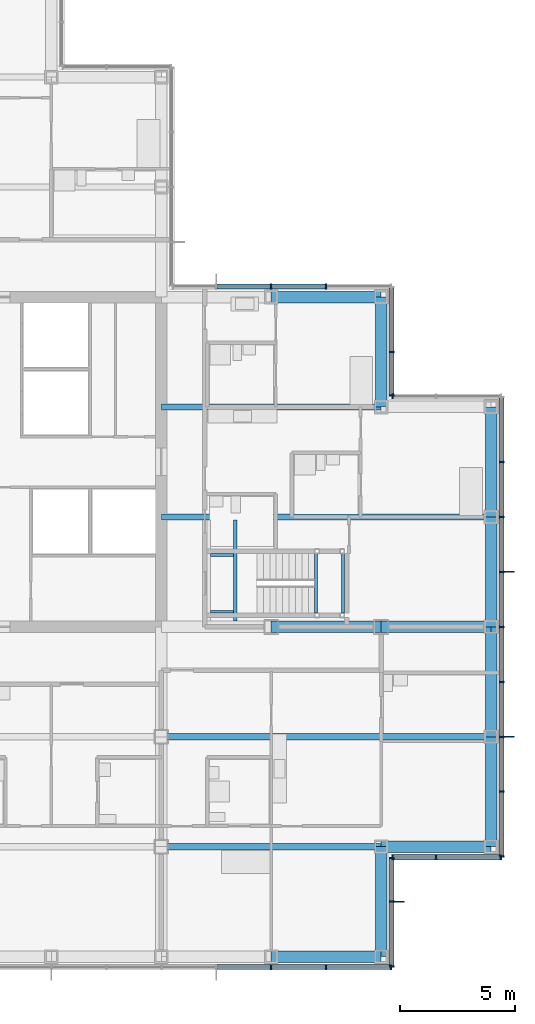
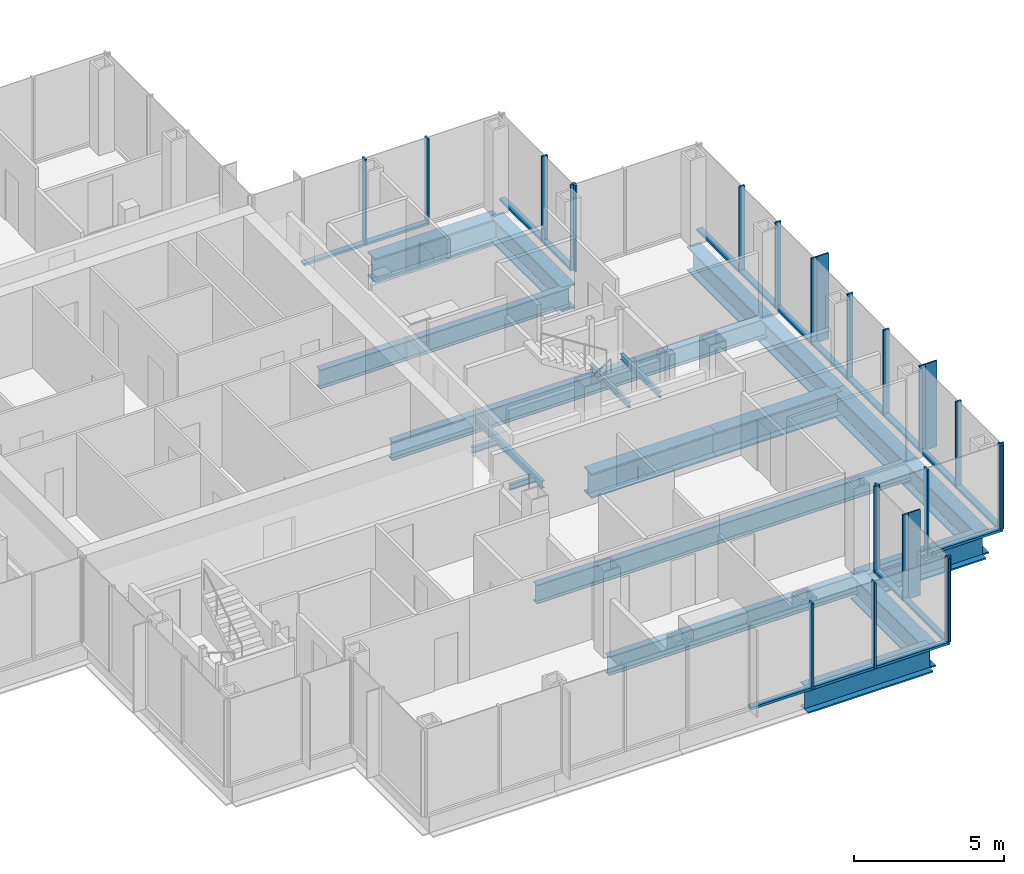
# One storey, part 8 of 19: 44 members, 20 beams, 7 elements without a shape of their own.
"""IFC4 building model written with IfcOpenShell, lengths in metres."""

from ifc_helpers import new_model, si_unit, direction, frame, origin, origin_2d, place, context, subcontext, project, spatial, rectangle, i_section, extrude, material, material_profile, profile_set, type_object, element, aggregate, save


model = new_model("IFC4")

# Units and contexts
model_context = context("Model", 3, precision=1e-05, world=origin(), true_north=direction((0.0, 1.0)))
body_context = subcontext(model_context, "Body", "Model", "MODEL_VIEW")
ifc_project = project(units=[si_unit("LENGTHUNIT", "METRE"), si_unit("AREAUNIT", "SQUARE_METRE"), si_unit("VOLUMEUNIT", "CUBIC_METRE"), si_unit("PLANEANGLEUNIT", "RADIAN"), si_unit("MASSUNIT", "GRAM", prefix="KILO")], contexts=[model_context])

# Site, building, storey
site_placement = place(None, origin())
site = spatial("IfcSite", under=ifc_project, at=site_placement, CompositionType="ELEMENT")
building_placement = place(site_placement, origin())
building = spatial("IfcBuilding", under=site, at=building_placement, Name="Kvirike Care Tower", CompositionType="ELEMENT")
storey_placement = place(building_placement, frame((0.0, 0.0, 129.5)))
storey = spatial("IfcBuildingStorey", under=building, at=storey_placement, Name="L35", CompositionType="ELEMENT", Elevation=129.5)

# Curtain wall, members
ifc_material_1 = material(Name="Anodised aluminium stick system", Category="aluminium")
curtain_wall_type = type_object("IfcCurtainWallType", Name="CW-B STICK CURTAIN WALL", PredefinedType="NOTDEFINED", material=ifc_material_1)
curtain_wall_1_placement = place(storey_placement, origin())
curtain_wall_1 = element("IfcCurtainWall", 1, at=curtain_wall_1_placement, inside=storey, type_object=curtain_wall_type, Name="Curtain wall L35 face 1", PredefinedType="NOTDEFINED")
ifc_material_2 = material(Name="Bronze anodised aluminium fin", Category="aluminium")
ifc_material_profile_1 = material_profile(ifc_material_2, rectangle(XDim=0.050048828125, YDim=0.449951171875, at=origin_2d()), Name="BRONZE FIN 450")
ifc_profile_set_1 = profile_set([ifc_material_profile_1], Name="Bronze anodised aluminium fin")
member_type_1 = type_object("IfcMemberType", Name="BRONZE FIN 450", PredefinedType="USERDEFINED", material=ifc_profile_set_1)
member_1_placement = place(storey_placement, frame((43.9951171875, 24.0, 0.0), z_axis=(0.0, 0.0, 1.0), x_axis=(0.0, 1.0, 0.0)))
member_1 = element("IfcMember", 2, at=member_1_placement, type_object=member_type_1, Name="Bronze fin L35 face 1.3", ObjectType="FIN", PredefinedType="USERDEFINED", context=body_context, shape_type="SweptSolid", body=[
    extrude(rectangle(XDim=0.050048828125, YDim=0.449951171875, at=origin_2d()), origin(), (0.0, 0.0, 1.0), 3.5),
])
member_2_placement = place(storey_placement, frame((43.9951171875, 31.199951171875, 0.0), z_axis=(0.0, 0.0, 1.0), x_axis=(0.0, 1.0, 0.0)))
member_2 = element("IfcMember", 3, at=member_2_placement, type_object=member_type_1, Name="Bronze fin L35 face 1.6", ObjectType="FIN", PredefinedType="USERDEFINED", context=body_context, shape_type="SweptSolid", body=[
    extrude(rectangle(XDim=0.050048828125, YDim=0.449951171875, at=origin_2d()), origin(), (0.0, 0.0, 1.0), 3.5),
])

# Curtain wall, member
curtain_wall_2_placement = place(storey_placement, origin())
curtain_wall_2 = element("IfcCurtainWall", 4, at=curtain_wall_2_placement, inside=storey, type_object=curtain_wall_type, Name="Curtain wall L35 face 19", PredefinedType="NOTDEFINED")
member_3_placement = place(storey_placement, frame((39.195068359375, 16.800048828125, 0.0), z_axis=(0.0, 0.0, 1.0), x_axis=(0.0, 1.0, 0.0)))
member_3 = element("IfcMember", 5, at=member_3_placement, type_object=member_type_1, Name="Bronze fin L35 face 19.2", ObjectType="FIN", PredefinedType="USERDEFINED", context=body_context, shape_type="SweptSolid", body=[
    extrude(rectangle(XDim=0.050048828125, YDim=0.449951171875, at=origin_2d()), origin(), (0.0, 0.0, 1.0), 3.5),
])

# Member
ifc_material_3 = material(Name="Bronze anodised aluminium mullion", Category="aluminium")
ifc_material_profile_2 = material_profile(ifc_material_3, rectangle(XDim=0.06494140625, YDim=0.219970703125, at=origin_2d()), Name="CW-B MULLION 65x220")
ifc_profile_set_2 = profile_set([ifc_material_profile_2], Name="Bronze anodised aluminium mullion")
member_type_2 = type_object("IfcMemberType", Name="CW-B MULLION 65x220", PredefinedType="MULLION", material=ifc_profile_set_2)
member_4_placement = place(storey_placement, frame((43.659912109375, 18.7724609375, 0.0), z_axis=(0.0, 0.0, 1.0), x_axis=(0.0, 1.0, 0.0)))
member_4 = element("IfcMember", 6, at=member_4_placement, type_object=member_type_2, Name="CW-B mullion L35 face 1.1", PredefinedType="MULLION", context=body_context, shape_type="SweptSolid", body=[
    extrude(rectangle(XDim=0.06494140625, YDim=0.219970703125, at=origin_2d()), origin(), (0.0, 0.0, 1.0), 3.5),
])

member_5_placement = place(storey_placement, frame((43.659912109375, 21.60009765625, 0.0), z_axis=(0.0, 0.0, 1.0), x_axis=(0.0, 1.0, 0.0)))
member_5 = element("IfcMember", 7, at=member_5_placement, type_object=member_type_2, Name="CW-B mullion L35 face 1.2", PredefinedType="MULLION", context=body_context, shape_type="SweptSolid", body=[
    extrude(rectangle(XDim=0.06494140625, YDim=0.219970703125, at=origin_2d()), origin(), (0.0, 0.0, 1.0), 3.5),
])

member_6_placement = place(storey_placement, frame((43.659912109375, 24.0, 0.0), z_axis=(0.0, 0.0, 1.0), x_axis=(0.0, 1.0, 0.0)))
member_6 = element("IfcMember", 8, at=member_6_placement, type_object=member_type_2, Name="CW-B mullion L35 face 1.3", PredefinedType="MULLION", context=body_context, shape_type="SweptSolid", body=[
    extrude(rectangle(XDim=0.06494140625, YDim=0.219970703125, at=origin_2d()), origin(), (0.0, 0.0, 1.0), 3.5),
])

member_7_placement = place(storey_placement, frame((43.659912109375, 26.39990234375, 0.0), z_axis=(0.0, 0.0, 1.0), x_axis=(0.0, 1.0, 0.0)))
member_7 = element("IfcMember", 9, at=member_7_placement, type_object=member_type_2, Name="CW-B mullion L35 face 1.4", PredefinedType="MULLION", context=body_context, shape_type="SweptSolid", body=[
    extrude(rectangle(XDim=0.06494140625, YDim=0.219970703125, at=origin_2d()), origin(), (0.0, 0.0, 1.0), 3.5),
])

member_8_placement = place(storey_placement, frame((43.659912109375, 28.800048828125, 0.0), z_axis=(0.0, 0.0, 1.0), x_axis=(0.0, 1.0, 0.0)))
member_8 = element("IfcMember", 10, at=member_8_placement, type_object=member_type_2, Name="CW-B mullion L35 face 1.5", PredefinedType="MULLION", context=body_context, shape_type="SweptSolid", body=[
    extrude(rectangle(XDim=0.06494140625, YDim=0.219970703125, at=origin_2d()), origin(), (0.0, 0.0, 1.0), 3.5),
])

member_9_placement = place(storey_placement, frame((43.659912109375, 31.199951171875, 0.0), z_axis=(0.0, 0.0, 1.0), x_axis=(0.0, 1.0, 0.0)))
member_9 = element("IfcMember", 11, at=member_9_placement, type_object=member_type_2, Name="CW-B mullion L35 face 1.6", PredefinedType="MULLION", context=body_context, shape_type="SweptSolid", body=[
    extrude(rectangle(XDim=0.06494140625, YDim=0.219970703125, at=origin_2d()), origin(), (0.0, 0.0, 1.0), 3.5),
])

member_10_placement = place(storey_placement, frame((43.659912109375, 33.60009765625, 0.0), z_axis=(0.0, 0.0, 1.0), x_axis=(0.0, 1.0, 0.0)))
member_10 = element("IfcMember", 12, at=member_10_placement, type_object=member_type_2, Name="CW-B mullion L35 face 1.7", PredefinedType="MULLION", context=body_context, shape_type="SweptSolid", body=[
    extrude(rectangle(XDim=0.06494140625, YDim=0.219970703125, at=origin_2d()), origin(), (0.0, 0.0, 1.0), 3.5),
])

member_11_placement = place(storey_placement, frame((43.659912109375, 36.0, 0.0), z_axis=(0.0, 0.0, 1.0), x_axis=(0.0, 1.0, 0.0)))
member_11 = element("IfcMember", 13, at=member_11_placement, type_object=member_type_2, Name="CW-B mullion L35 face 1.8", PredefinedType="MULLION", context=body_context, shape_type="SweptSolid", body=[
    extrude(rectangle(XDim=0.06494140625, YDim=0.219970703125, at=origin_2d()), origin(), (0.0, 0.0, 1.0), 3.5),
])

# Curtain wall, member
curtain_wall_3_placement = place(storey_placement, origin())
curtain_wall_3 = element("IfcCurtainWall", 14, at=curtain_wall_3_placement, inside=storey, type_object=curtain_wall_type, Name="Curtain wall L35 face 2", PredefinedType="NOTDEFINED")
member_12_placement = place(storey_placement, frame((38.892578125, 38.860107421875, 0.0), z_axis=(0.0, 0.0, 1.0), x_axis=(-1.0, 0.0, 0.0)))
member_12 = element("IfcMember", 15, at=member_12_placement, type_object=member_type_2, Name="CW-B mullion L35 face 2.3", PredefinedType="MULLION", context=body_context, shape_type="SweptSolid", body=[
    extrude(rectangle(XDim=0.06494140625, YDim=0.219970703125, at=origin_2d()), origin(), (0.0, 0.0, 1.0), 3.5),
])
aggregate(curtain_wall_3, [member_12])

# Curtain wall, members
curtain_wall_4_placement = place(storey_placement, origin())
curtain_wall_4 = element("IfcCurtainWall", 16, at=curtain_wall_4_placement, inside=storey, type_object=curtain_wall_type, Name="Curtain wall L35 face 3", PredefinedType="NOTDEFINED")
member_13_placement = place(storey_placement, frame((38.860107421875, 38.892578125, 0.0), z_axis=(0.0, 0.0, 1.0), x_axis=(0.0, 1.0, 0.0)))
member_13 = element("IfcMember", 17, at=member_13_placement, type_object=member_type_2, Name="CW-B mullion L35 face 3.1", PredefinedType="MULLION", context=body_context, shape_type="SweptSolid", body=[
    extrude(rectangle(XDim=0.06494140625, YDim=0.219970703125, at=origin_2d()), origin(), (0.0, 0.0, 1.0), 3.5),
])
member_14_placement = place(storey_placement, frame((38.860107421875, 40.800048828125, 0.0), z_axis=(0.0, 0.0, 1.0), x_axis=(0.0, 1.0, 0.0)))
member_14 = element("IfcMember", 18, at=member_14_placement, type_object=member_type_2, Name="CW-B mullion L35 face 3.2", PredefinedType="MULLION", context=body_context, shape_type="SweptSolid", body=[
    extrude(rectangle(XDim=0.06494140625, YDim=0.219970703125, at=origin_2d()), origin(), (0.0, 0.0, 1.0), 3.5),
])

curtain_wall_5_placement = place(storey_placement, origin())
curtain_wall_5 = element("IfcCurtainWall", 19, at=curtain_wall_5_placement, inside=storey, type_object=curtain_wall_type, Name="Curtain wall L35 face 4", PredefinedType="NOTDEFINED")
member_15_placement = place(storey_placement, frame((36.0, 43.659912109375, 0.0), z_axis=(0.0, 0.0, 1.0), x_axis=(-1.0, 0.0, 0.0)))
member_15 = element("IfcMember", 20, at=member_15_placement, type_object=member_type_2, Name="CW-B mullion L35 face 4.2", PredefinedType="MULLION", context=body_context, shape_type="SweptSolid", body=[
    extrude(rectangle(XDim=0.06494140625, YDim=0.219970703125, at=origin_2d()), origin(), (0.0, 0.0, 1.0), 3.5),
])
member_16_placement = place(storey_placement, frame((33.60009765625, 43.659912109375, 0.0), z_axis=(0.0, 0.0, 1.0), x_axis=(-1.0, 0.0, 0.0)))
member_16 = element("IfcMember", 21, at=member_16_placement, type_object=member_type_2, Name="CW-B mullion L35 face 4.3", PredefinedType="MULLION", context=body_context, shape_type="SweptSolid", body=[
    extrude(rectangle(XDim=0.06494140625, YDim=0.219970703125, at=origin_2d()), origin(), (0.0, 0.0, 1.0), 3.5),
])

curtain_wall_6_placement = place(storey_placement, origin())
curtain_wall_6 = element("IfcCurtainWall", 22, at=curtain_wall_6_placement, inside=storey, type_object=curtain_wall_type, Name="Curtain wall L35 face 18", PredefinedType="NOTDEFINED")
member_17_placement = place(storey_placement, frame((33.60009765625, 13.93994140625, 0.0), z_axis=(0.0, 0.0, 1.0), x_axis=(1.0, 0.0, 0.0)))
member_17 = element("IfcMember", 23, at=member_17_placement, type_object=member_type_2, Name="CW-B mullion L35 face 18.7", PredefinedType="MULLION", context=body_context, shape_type="SweptSolid", body=[
    extrude(rectangle(XDim=0.06494140625, YDim=0.219970703125, at=origin_2d()), origin(), (0.0, 0.0, 1.0), 3.5),
])
member_18_placement = place(storey_placement, frame((36.0, 13.93994140625, 0.0), z_axis=(0.0, 0.0, 1.0), x_axis=(1.0, 0.0, 0.0)))
member_18 = element("IfcMember", 24, at=member_18_placement, type_object=member_type_2, Name="CW-B mullion L35 face 18.8", PredefinedType="MULLION", context=body_context, shape_type="SweptSolid", body=[
    extrude(rectangle(XDim=0.06494140625, YDim=0.219970703125, at=origin_2d()), origin(), (0.0, 0.0, 1.0), 3.5),
])
member_19_placement = place(storey_placement, frame((38.827392578125, 13.93994140625, 0.0), z_axis=(0.0, 0.0, 1.0), x_axis=(1.0, 0.0, 0.0)))
member_19 = element("IfcMember", 25, at=member_19_placement, type_object=member_type_2, Name="CW-B mullion L35 face 18.9", PredefinedType="MULLION", context=body_context, shape_type="SweptSolid", body=[
    extrude(rectangle(XDim=0.06494140625, YDim=0.219970703125, at=origin_2d()), origin(), (0.0, 0.0, 1.0), 3.5),
])

# Member
member_20_placement = place(storey_placement, frame((38.860107421875, 13.972412109375, 0.0), z_axis=(0.0, 0.0, 1.0), x_axis=(0.0, 1.0, 0.0)))
member_20 = element("IfcMember", 26, at=member_20_placement, type_object=member_type_2, Name="CW-B mullion L35 face 19.1", PredefinedType="MULLION", context=body_context, shape_type="SweptSolid", body=[
    extrude(rectangle(XDim=0.06494140625, YDim=0.219970703125, at=origin_2d()), origin(), (0.0, 0.0, 1.0), 3.5),
])

member_21_placement = place(storey_placement, frame((38.860107421875, 16.800048828125, 0.0), z_axis=(0.0, 0.0, 1.0), x_axis=(0.0, 1.0, 0.0)))
member_21 = element("IfcMember", 27, at=member_21_placement, type_object=member_type_2, Name="CW-B mullion L35 face 19.2", PredefinedType="MULLION", context=body_context, shape_type="SweptSolid", body=[
    extrude(rectangle(XDim=0.06494140625, YDim=0.219970703125, at=origin_2d()), origin(), (0.0, 0.0, 1.0), 3.5),
])

member_22_placement = place(storey_placement, frame((38.860107421875, 18.70751953125, 0.0), z_axis=(0.0, 0.0, 1.0), x_axis=(0.0, 1.0, 0.0)))
member_22 = element("IfcMember", 28, at=member_22_placement, type_object=member_type_2, Name="CW-B mullion L35 face 19.3", PredefinedType="MULLION", context=body_context, shape_type="SweptSolid", body=[
    extrude(rectangle(XDim=0.06494140625, YDim=0.219970703125, at=origin_2d()), origin(), (0.0, 0.0, 1.0), 3.5),
])

# Curtain wall, members
curtain_wall_7_placement = place(storey_placement, origin())
curtain_wall_7 = element("IfcCurtainWall", 29, at=curtain_wall_7_placement, inside=storey, type_object=curtain_wall_type, Name="Curtain wall L35 face 20", PredefinedType="NOTDEFINED")
member_23_placement = place(storey_placement, frame((38.892578125, 18.739990234375, 0.0), z_axis=(0.0, 0.0, 1.0), x_axis=(1.0, 0.0, 0.0)))
member_23 = element("IfcMember", 30, at=member_23_placement, type_object=member_type_2, Name="CW-B mullion L35 face 20.1", PredefinedType="MULLION", context=body_context, shape_type="SweptSolid", body=[
    extrude(rectangle(XDim=0.06494140625, YDim=0.219970703125, at=origin_2d()), origin(), (0.0, 0.0, 1.0), 3.5),
])
member_24_placement = place(storey_placement, frame((40.800048828125, 18.739990234375, 0.0), z_axis=(0.0, 0.0, 1.0), x_axis=(1.0, 0.0, 0.0)))
member_24 = element("IfcMember", 31, at=member_24_placement, type_object=member_type_2, Name="CW-B mullion L35 face 20.2", PredefinedType="MULLION", context=body_context, shape_type="SweptSolid", body=[
    extrude(rectangle(XDim=0.06494140625, YDim=0.219970703125, at=origin_2d()), origin(), (0.0, 0.0, 1.0), 3.5),
])
member_25_placement = place(storey_placement, frame((43.62744140625, 18.739990234375, 0.0), z_axis=(0.0, 0.0, 1.0), x_axis=(1.0, 0.0, 0.0)))
member_25 = element("IfcMember", 32, at=member_25_placement, type_object=member_type_2, Name="CW-B mullion L35 face 20.3", PredefinedType="MULLION", context=body_context, shape_type="SweptSolid", body=[
    extrude(rectangle(XDim=0.06494140625, YDim=0.219970703125, at=origin_2d()), origin(), (0.0, 0.0, 1.0), 3.5),
])

# Member
ifc_material_4 = material(Name="Bronze anodised aluminium transom", Category="aluminium")
ifc_material_profile_3 = material_profile(ifc_material_4, rectangle(XDim=0.219970703125, YDim=0.10009765625, at=origin_2d()), Name="CW-B TRANSOM 220x100")
ifc_profile_set_3 = profile_set([ifc_material_profile_3], Name="Bronze anodised aluminium transom")
member_type_3 = type_object("IfcMemberType", Name="CW-B TRANSOM 220x100", PredefinedType="USERDEFINED", material=ifc_profile_set_3)
member_26_placement = place(storey_placement, frame((43.659912109375, 18.804931640625, 0.050048828125), z_axis=(0.0, 1.0, 0.0), x_axis=(-1.0, 0.0, 0.0)))
member_26 = element("IfcMember", 33, at=member_26_placement, type_object=member_type_3, Name="CW-B sill transom L35 face 1.1", ObjectType="TRANSOM", PredefinedType="USERDEFINED", context=body_context, shape_type="SweptSolid", body=[
    extrude(rectangle(XDim=0.219970703125, YDim=0.10009765625, at=origin_2d()), origin(), (0.0, 0.0, 1.0), 2.762451171875),
])

member_27_placement = place(storey_placement, frame((43.659912109375, 21.632568359375, 0.050048828125), z_axis=(0.0, 1.0, 0.0), x_axis=(-1.0, 0.0, 0.0)))
member_27 = element("IfcMember", 34, at=member_27_placement, type_object=member_type_3, Name="CW-B sill transom L35 face 1.2", ObjectType="TRANSOM", PredefinedType="USERDEFINED", context=body_context, shape_type="SweptSolid", body=[
    extrude(rectangle(XDim=0.219970703125, YDim=0.10009765625, at=origin_2d()), origin(), (0.0, 0.0, 1.0), 2.3349609375),
])

member_28_placement = place(storey_placement, frame((43.659912109375, 24.032470703125, 0.050048828125), z_axis=(0.0, 1.0, 0.0), x_axis=(-1.0, 0.0, 0.0)))
member_28 = element("IfcMember", 35, at=member_28_placement, type_object=member_type_3, Name="CW-B sill transom L35 face 1.3", ObjectType="TRANSOM", PredefinedType="USERDEFINED", context=body_context, shape_type="SweptSolid", body=[
    extrude(rectangle(XDim=0.219970703125, YDim=0.10009765625, at=origin_2d()), origin(), (0.0, 0.0, 1.0), 2.3349609375),
])

member_29_placement = place(storey_placement, frame((43.659912109375, 26.4326171875, 0.050048828125), z_axis=(0.0, 1.0, 0.0), x_axis=(-1.0, 0.0, 0.0)))
member_29 = element("IfcMember", 36, at=member_29_placement, type_object=member_type_3, Name="CW-B sill transom L35 face 1.4", ObjectType="TRANSOM", PredefinedType="USERDEFINED", context=body_context, shape_type="SweptSolid", body=[
    extrude(rectangle(XDim=0.219970703125, YDim=0.10009765625, at=origin_2d()), origin(), (0.0, 0.0, 1.0), 2.3349609375),
])

member_30_placement = place(storey_placement, frame((43.659912109375, 28.83251953125, 0.050048828125), z_axis=(0.0, 1.0, 0.0), x_axis=(-1.0, 0.0, 0.0)))
member_30 = element("IfcMember", 37, at=member_30_placement, type_object=member_type_3, Name="CW-B sill transom L35 face 1.5", ObjectType="TRANSOM", PredefinedType="USERDEFINED", context=body_context, shape_type="SweptSolid", body=[
    extrude(rectangle(XDim=0.219970703125, YDim=0.10009765625, at=origin_2d()), origin(), (0.0, 0.0, 1.0), 2.3349609375),
])

member_31_placement = place(storey_placement, frame((43.659912109375, 31.232421875, 0.050048828125), z_axis=(0.0, 1.0, 0.0), x_axis=(-1.0, 0.0, 0.0)))
member_31 = element("IfcMember", 38, at=member_31_placement, type_object=member_type_3, Name="CW-B sill transom L35 face 1.6", ObjectType="TRANSOM", PredefinedType="USERDEFINED", context=body_context, shape_type="SweptSolid", body=[
    extrude(rectangle(XDim=0.219970703125, YDim=0.10009765625, at=origin_2d()), origin(), (0.0, 0.0, 1.0), 2.3349609375),
])

member_32_placement = place(storey_placement, frame((43.659912109375, 33.632568359375, 0.050048828125), z_axis=(0.0, 1.0, 0.0), x_axis=(-1.0, 0.0, 0.0)))
member_32 = element("IfcMember", 39, at=member_32_placement, type_object=member_type_3, Name="CW-B sill transom L35 face 1.7", ObjectType="TRANSOM", PredefinedType="USERDEFINED", context=body_context, shape_type="SweptSolid", body=[
    extrude(rectangle(XDim=0.219970703125, YDim=0.10009765625, at=origin_2d()), origin(), (0.0, 0.0, 1.0), 2.3349609375),
])

member_33_placement = place(storey_placement, frame((43.659912109375, 36.032470703125, 0.050048828125), z_axis=(0.0, 1.0, 0.0), x_axis=(-1.0, 0.0, 0.0)))
member_33 = element("IfcMember", 40, at=member_33_placement, type_object=member_type_3, Name="CW-B sill transom L35 face 1.8", ObjectType="TRANSOM", PredefinedType="USERDEFINED", context=body_context, shape_type="SweptSolid", body=[
    extrude(rectangle(XDim=0.219970703125, YDim=0.10009765625, at=origin_2d()), origin(), (0.0, 0.0, 1.0), 2.762451171875),
])

aggregate(curtain_wall_1, [member_4, member_5, member_6, member_1, member_7, member_8, member_9, member_2, member_10, member_11, member_26, member_27, member_28, member_29, member_30, member_31, member_32, member_33])

member_34_placement = place(storey_placement, frame((38.860107421875, 38.925048828125, 0.050048828125), z_axis=(0.0, 1.0, 0.0), x_axis=(-1.0, 0.0, 0.0)))
member_34 = element("IfcMember", 41, at=member_34_placement, type_object=member_type_3, Name="CW-B sill transom L35 face 3.1", ObjectType="TRANSOM", PredefinedType="USERDEFINED", context=body_context, shape_type="SweptSolid", body=[
    extrude(rectangle(XDim=0.219970703125, YDim=0.10009765625, at=origin_2d()), origin(), (0.0, 0.0, 1.0), 1.842529296875),
])

member_35_placement = place(storey_placement, frame((38.860107421875, 40.83251953125, 0.050048828125), z_axis=(0.0, 1.0, 0.0), x_axis=(-1.0, 0.0, 0.0)))
member_35 = element("IfcMember", 42, at=member_35_placement, type_object=member_type_3, Name="CW-B sill transom L35 face 3.2", ObjectType="TRANSOM", PredefinedType="USERDEFINED", context=body_context, shape_type="SweptSolid", body=[
    extrude(rectangle(XDim=0.219970703125, YDim=0.10009765625, at=origin_2d()), origin(), (0.0, 0.0, 1.0), 2.762451171875),
])

aggregate(curtain_wall_4, [member_13, member_14, member_34, member_35])

member_36_placement = place(storey_placement, frame((35.967529296875, 43.659912109375, 0.050048828125), z_axis=(-1.0, 0.0, 0.0), x_axis=(0.0, -1.0, 0.0)))
member_36 = element("IfcMember", 43, at=member_36_placement, type_object=member_type_3, Name="CW-B sill transom L35 face 4.2", ObjectType="TRANSOM", PredefinedType="USERDEFINED", context=body_context, shape_type="SweptSolid", body=[
    extrude(rectangle(XDim=0.219970703125, YDim=0.10009765625, at=origin_2d()), origin(), (0.0, 0.0, 1.0), 2.3349609375),
])

member_37_placement = place(storey_placement, frame((33.5673828125, 43.659912109375, 0.050048828125), z_axis=(-1.0, 0.0, 0.0), x_axis=(0.0, -1.0, 0.0)))
member_37 = element("IfcMember", 44, at=member_37_placement, type_object=member_type_3, Name="CW-B sill transom L35 face 4.3", ObjectType="TRANSOM", PredefinedType="USERDEFINED", context=body_context, shape_type="SweptSolid", body=[
    extrude(rectangle(XDim=0.219970703125, YDim=0.10009765625, at=origin_2d()), origin(), (0.0, 0.0, 1.0), 2.3349609375),
])

aggregate(curtain_wall_5, [member_15, member_16, member_36, member_37])

member_38_placement = place(storey_placement, frame((31.232421875, 13.93994140625, 0.050048828125), z_axis=(1.0, 0.0, 0.0), x_axis=(0.0, 1.0, 0.0)))
member_38 = element("IfcMember", 45, at=member_38_placement, type_object=member_type_3, Name="CW-B sill transom L35 face 18.6", ObjectType="TRANSOM", PredefinedType="USERDEFINED", context=body_context, shape_type="SweptSolid", body=[
    extrude(rectangle(XDim=0.219970703125, YDim=0.10009765625, at=origin_2d()), origin(), (0.0, 0.0, 1.0), 2.3349609375),
])

member_39_placement = place(storey_placement, frame((33.632568359375, 13.93994140625, 0.050048828125), z_axis=(1.0, 0.0, 0.0), x_axis=(0.0, 1.0, 0.0)))
member_39 = element("IfcMember", 46, at=member_39_placement, type_object=member_type_3, Name="CW-B sill transom L35 face 18.7", ObjectType="TRANSOM", PredefinedType="USERDEFINED", context=body_context, shape_type="SweptSolid", body=[
    extrude(rectangle(XDim=0.219970703125, YDim=0.10009765625, at=origin_2d()), origin(), (0.0, 0.0, 1.0), 2.3349609375),
])

member_40_placement = place(storey_placement, frame((36.032470703125, 13.93994140625, 0.050048828125), z_axis=(1.0, 0.0, 0.0), x_axis=(0.0, 1.0, 0.0)))
member_40 = element("IfcMember", 47, at=member_40_placement, type_object=member_type_3, Name="CW-B sill transom L35 face 18.8", ObjectType="TRANSOM", PredefinedType="USERDEFINED", context=body_context, shape_type="SweptSolid", body=[
    extrude(rectangle(XDim=0.219970703125, YDim=0.10009765625, at=origin_2d()), origin(), (0.0, 0.0, 1.0), 2.762451171875),
])

aggregate(curtain_wall_6, [member_17, member_18, member_19, member_38, member_39, member_40])

member_41_placement = place(storey_placement, frame((38.860107421875, 14.0048828125, 0.050048828125), z_axis=(0.0, 1.0, 0.0), x_axis=(-1.0, 0.0, 0.0)))
member_41 = element("IfcMember", 48, at=member_41_placement, type_object=member_type_3, Name="CW-B sill transom L35 face 19.1", ObjectType="TRANSOM", PredefinedType="USERDEFINED", context=body_context, shape_type="SweptSolid", body=[
    extrude(rectangle(XDim=0.219970703125, YDim=0.10009765625, at=origin_2d()), origin(), (0.0, 0.0, 1.0), 2.7626953125),
])

member_42_placement = place(storey_placement, frame((38.860107421875, 16.83251953125, 0.050048828125), z_axis=(0.0, 1.0, 0.0), x_axis=(-1.0, 0.0, 0.0)))
member_42 = element("IfcMember", 49, at=member_42_placement, type_object=member_type_3, Name="CW-B sill transom L35 face 19.2", ObjectType="TRANSOM", PredefinedType="USERDEFINED", context=body_context, shape_type="SweptSolid", body=[
    extrude(rectangle(XDim=0.219970703125, YDim=0.10009765625, at=origin_2d()), origin(), (0.0, 0.0, 1.0), 1.842529296875),
])

aggregate(curtain_wall_2, [member_20, member_21, member_3, member_22, member_41, member_42])

member_43_placement = place(storey_placement, frame((38.925048828125, 18.739990234375, 0.050048828125), z_axis=(1.0, 0.0, 0.0), x_axis=(0.0, 1.0, 0.0)))
member_43 = element("IfcMember", 50, at=member_43_placement, type_object=member_type_3, Name="CW-B sill transom L35 face 20.1", ObjectType="TRANSOM", PredefinedType="USERDEFINED", context=body_context, shape_type="SweptSolid", body=[
    extrude(rectangle(XDim=0.219970703125, YDim=0.10009765625, at=origin_2d()), origin(), (0.0, 0.0, 1.0), 1.842529296875),
])

member_44_placement = place(storey_placement, frame((40.83251953125, 18.739990234375, 0.050048828125), z_axis=(1.0, 0.0, 0.0), x_axis=(0.0, 1.0, 0.0)))
member_44 = element("IfcMember", 51, at=member_44_placement, type_object=member_type_3, Name="CW-B sill transom L35 face 20.2", ObjectType="TRANSOM", PredefinedType="USERDEFINED", context=body_context, shape_type="SweptSolid", body=[
    extrude(rectangle(XDim=0.219970703125, YDim=0.10009765625, at=origin_2d()), origin(), (0.0, 0.0, 1.0), 2.762451171875),
])

aggregate(curtain_wall_7, [member_23, member_24, member_25, member_43, member_44])

# Beams
ifc_material_5 = material(Name="Steel S355", Category="steel")
ifc_material_profile_4 = material_profile(ifc_material_5, i_section(OverallWidth=0.26806640625, OverallDepth=0.77001953125, WebThickness=0.015625, FlangeThickness=0.025390625, FilletRadius=0.01708984375, at=origin_2d()), Name="IPE 750x196")
ifc_profile_set_4 = profile_set([ifc_material_profile_4], Name="Steel S355")
beam_type_1 = type_object("IfcBeamType", Name="FLOOR BEAM IPE 750x196", PredefinedType="BEAM", material=ifc_profile_set_4)
beam_1_placement = place(storey_placement, frame((28.800048828125, 19.199951171875, -0.554931640625), z_axis=(1.0, 0.0, 0.0), x_axis=(0.0, 1.0, 0.0)))
element("IfcBeam", 52, at=beam_1_placement, inside=storey, type_object=beam_type_1, Name="Floor Beam E9-E11 L35", PredefinedType="BEAM", context=body_context, shape_type="SweptSolid", body=[
    extrude(i_section(OverallWidth=0.26806640625, OverallDepth=0.77001953125, WebThickness=0.015625, FlangeThickness=0.025390625, FilletRadius=0.01708984375, at=origin_2d()), origin(), (0.0, 0.0, 1.0), 9.599853515625),
])
for number, where, z_axis, x_axis, name in (
    (53, (28.800048828125, 24.0, -0.554931640625), (1.0, 0.0, 0.0), (0.0, 1.0, 0.0), "Floor Beam F9-F12 L35"),
    (54, (28.800048828125, 33.60009765625, -0.554931640625), (1.0, 0.0, 0.0), (0.0, 1.0, 0.0), "Floor Beam H9-H12 L35"),
):
    element("IfcBeam", number, at=place(storey_placement, frame(where, z_axis=z_axis, x_axis=x_axis)), inside=storey, type_object=beam_type_1, Name=name, PredefinedType="BEAM", context=body_context, shape_type="SweptSolid", body=[
        extrude(i_section(OverallWidth=0.26806640625, OverallDepth=0.77001953125, WebThickness=0.015625, FlangeThickness=0.025390625, FilletRadius=0.01708984375, at=origin_2d()), origin(), (0.0, 0.0, 1.0), 14.39990234375),
    ])
beam_2_placement = place(storey_placement, frame((28.800048828125, 38.39990234375, -0.554931640625), z_axis=(1.0, 0.0, 0.0), x_axis=(0.0, 1.0, 0.0)))
element("IfcBeam", 55, at=beam_2_placement, inside=storey, type_object=beam_type_1, Name="Floor Beam J9-J11 L35", PredefinedType="BEAM", context=body_context, shape_type="SweptSolid", body=[
    extrude(i_section(OverallWidth=0.26806640625, OverallDepth=0.77001953125, WebThickness=0.015625, FlangeThickness=0.025390625, FilletRadius=0.01708984375, at=origin_2d()), origin(), (0.0, 0.0, 1.0), 9.599853515625),
])
ifc_material_6 = material(Name="Steel S355", Category="steel")
ifc_material_profile_5 = material_profile(ifc_material_6, i_section(OverallWidth=0.5, OverallDepth=1.0, WebThickness=0.030029296875, FlangeThickness=0.06005859375, at=origin_2d()), Name="PG 1000x500x30x60")
ifc_profile_set_5 = profile_set([ifc_material_profile_5], Name="Steel S355")
beam_type_2 = type_object("IfcBeamType", Name="FRAME BEAM PG 1000x500x30x60", PredefinedType="BEAM", material=ifc_profile_set_5)
beam_3_placement = place(storey_placement, frame((33.60009765625, 28.800048828125, -0.669921875), z_axis=(1.0, 0.0, 0.0), x_axis=(0.0, 1.0, 0.0)))
element("IfcBeam", 56, at=beam_3_placement, inside=storey, type_object=beam_type_2, Name="Frame Beam G10-G11 L35", PredefinedType="BEAM", context=body_context, shape_type="SweptSolid", body=[
    extrude(i_section(OverallWidth=0.5, OverallDepth=1.0, WebThickness=0.030029296875, FlangeThickness=0.06005859375, at=origin_2d()), origin(), (0.0, 0.0, 1.0), 4.7998046875),
])
beam_4_placement = place(storey_placement, frame((38.39990234375, 28.800048828125, -0.669921875), z_axis=(1.0, 0.0, 0.0), x_axis=(0.0, 1.0, 0.0)))
element("IfcBeam", 57, at=beam_4_placement, inside=storey, type_object=beam_type_2, Name="Frame Beam G11-G12 L35", PredefinedType="BEAM", context=body_context, shape_type="SweptSolid", body=[
    extrude(i_section(OverallWidth=0.5, OverallDepth=1.0, WebThickness=0.030029296875, FlangeThickness=0.06005859375, at=origin_2d()), origin(), (0.0, 0.0, 1.0), 4.800048828125),
])
ifc_material_7 = material(Name="Steel S355", Category="steel")
ifc_material_profile_6 = material_profile(ifc_material_7, i_section(OverallWidth=0.5, OverallDepth=1.0, WebThickness=0.030029296875, FlangeThickness=0.06005859375, at=origin_2d()), Name="PG 1000x500x30x60")
ifc_profile_set_6 = profile_set([ifc_material_profile_6], Name="Steel S355")
beam_type_3 = type_object("IfcBeamType", Name="SPANDREL PG 1000x500x30x60", PredefinedType="SPANDREL", material=ifc_profile_set_6)
beam_5_placement = place(storey_placement, frame((33.60009765625, 14.39990234375, -0.669921875), z_axis=(1.0, 0.0, 0.0), x_axis=(0.0, 1.0, 0.0)))
element("IfcBeam", 58, at=beam_5_placement, inside=storey, type_object=beam_type_3, Name="Spandrel D10-D11 L35", PredefinedType="SPANDREL", context=body_context, shape_type="SweptSolid", body=[
    extrude(i_section(OverallWidth=0.5, OverallDepth=1.0, WebThickness=0.030029296875, FlangeThickness=0.06005859375, at=origin_2d()), origin(), (0.0, 0.0, 1.0), 4.7998046875),
])
beam_6_placement = place(storey_placement, frame((38.39990234375, 19.199951171875, -0.669921875), z_axis=(1.0, 0.0, 0.0), x_axis=(0.0, 1.0, 0.0)))
element("IfcBeam", 59, at=beam_6_placement, inside=storey, type_object=beam_type_3, Name="Spandrel E11-E12 L35", PredefinedType="SPANDREL", context=body_context, shape_type="SweptSolid", body=[
    extrude(i_section(OverallWidth=0.5, OverallDepth=1.0, WebThickness=0.030029296875, FlangeThickness=0.06005859375, at=origin_2d()), origin(), (0.0, 0.0, 1.0), 4.800048828125),
])
beam_7_placement = place(storey_placement, frame((33.60009765625, 43.199951171875, -0.669921875), z_axis=(1.0, 0.0, 0.0), x_axis=(0.0, 1.0, 0.0)))
element("IfcBeam", 60, at=beam_7_placement, inside=storey, type_object=beam_type_3, Name="Spandrel K10-K11 L35", PredefinedType="SPANDREL", context=body_context, shape_type="SweptSolid", body=[
    extrude(i_section(OverallWidth=0.5, OverallDepth=1.0, WebThickness=0.030029296875, FlangeThickness=0.06005859375, at=origin_2d()), origin(), (0.0, 0.0, 1.0), 4.7998046875),
])
for number, where, z_axis, x_axis, name in (
    (61, (38.39990234375, 14.39990234375, -0.669921875), (0.0, 1.0, 0.0), (-1.0, 0.0, 0.0), "Spandrel D11-E11 L35"),
    (62, (38.39990234375, 38.39990234375, -0.669921875), (0.0, 1.0, 0.0), (-1.0, 0.0, 0.0), "Spandrel J11-K11 L35"),
    (63, (43.199951171875, 19.199951171875, -0.669921875), (0.0, 1.0, 0.0), (-1.0, 0.0, 0.0), "Spandrel E12-F12 L35"),
    (64, (43.199951171875, 24.0, -0.669921875), (0.0, 1.0, 0.0), (-1.0, 0.0, 0.0), "Spandrel F12-G12 L35"),
    (65, (43.199951171875, 28.800048828125, -0.669921875), (0.0, 1.0, 0.0), (-1.0, 0.0, 0.0), "Spandrel G12-H12 L35"),
):
    element("IfcBeam", number, at=place(storey_placement, frame(where, z_axis=z_axis, x_axis=x_axis)), inside=storey, type_object=beam_type_3, Name=name, PredefinedType="SPANDREL", context=body_context, shape_type="SweptSolid", body=[
        extrude(i_section(OverallWidth=0.5, OverallDepth=1.0, WebThickness=0.030029296875, FlangeThickness=0.06005859375, at=origin_2d()), origin(), (0.0, 0.0, 1.0), 4.800048828125),
    ])
beam_8_placement = place(storey_placement, frame((43.199951171875, 33.60009765625, -0.669921875), z_axis=(0.0, 1.0, 0.0), x_axis=(-1.0, 0.0, 0.0)))
element("IfcBeam", 66, at=beam_8_placement, inside=storey, type_object=beam_type_3, Name="Spandrel H12-J12 L35", PredefinedType="SPANDREL", context=body_context, shape_type="SweptSolid", body=[
    extrude(i_section(OverallWidth=0.5, OverallDepth=1.0, WebThickness=0.030029296875, FlangeThickness=0.06005859375, at=origin_2d()), origin(), (0.0, 0.0, 1.0), 4.7998046875),
])
ifc_material_8 = material(Name="Steel S355", Category="steel")
ifc_material_profile_7 = material_profile(ifc_material_8, i_section(OverallWidth=0.1201171875, OverallDepth=0.239990234375, WebThickness=0.006103515625, FlangeThickness=0.009765625, FilletRadius=0.014892578125, at=origin_2d()), Name="IPE 240")
ifc_profile_set_7 = profile_set([ifc_material_profile_7], Name="Steel S355")
beam_type_4 = type_object("IfcBeamType", Name="STAIR LANDING BEAM IPE 240", PredefinedType="BEAM", material=ifc_profile_set_7)
for number, where, z_axis, x_axis, name in (
    (67, (36.739990234375, 29.39990234375, 1.429931640625), (0.0, 1.0, 0.0), (-1.0, 0.0, 0.0), "Stair 2 landing beam back L35"),
    (68, (35.56005859375, 29.39990234375, 1.429931640625), (0.0, 1.0, 0.0), (-1.0, 0.0, 0.0), "Stair 2 landing beam front L35"),
):
    element("IfcBeam", number, at=place(storey_placement, frame(where, z_axis=z_axis, x_axis=x_axis)), inside=storey, type_object=beam_type_4, Name=name, PredefinedType="BEAM", context=body_context, shape_type="SweptSolid", body=[
        extrude(i_section(OverallWidth=0.1201171875, OverallDepth=0.239990234375, WebThickness=0.006103515625, FlangeThickness=0.009765625, FilletRadius=0.014892578125, at=origin_2d()), origin(), (0.0, 0.0, 1.0), 2.60009765625),
    ])
for number, where, z_axis, x_axis, name in (
    (69, (31.949951171875, 29.4599609375, -0.320068359375), (-1.0, 0.0, 0.0), (0.0, -1.0, 0.0), "Stair 2 landing edge beam 1 L35"),
    (70, (31.949951171875, 31.93994140625, -0.320068359375), (-1.0, 0.0, 0.0), (0.0, -1.0, 0.0), "Stair 2 landing edge beam 2 L35"),
):
    element("IfcBeam", number, at=place(storey_placement, frame(where, z_axis=z_axis, x_axis=x_axis)), inside=storey, type_object=beam_type_4, Name=name, PredefinedType="BEAM", context=body_context, shape_type="SweptSolid", body=[
        extrude(i_section(OverallWidth=0.1201171875, OverallDepth=0.239990234375, WebThickness=0.006103515625, FlangeThickness=0.009765625, FilletRadius=0.014892578125, at=origin_2d()), origin(), (0.0, 0.0, 1.0), 1.0),
    ])
ifc_material_9 = material(Name="Steel S355", Category="steel")
ifc_material_profile_8 = material_profile(ifc_material_9, i_section(OverallWidth=0.14990234375, OverallDepth=0.300048828125, WebThickness=0.007080078125, FlangeThickness=0.0107421875, FilletRadius=0.014892578125, at=origin_2d()), Name="IPE 300")
ifc_profile_set_8 = profile_set([ifc_material_profile_8], Name="Steel S355")
beam_type_5 = type_object("IfcBeamType", Name="STAIR TRIMMER IPE 300", PredefinedType="BEAM", material=ifc_profile_set_8)
beam_9_placement = place(storey_placement, frame((32.02490234375, 29.050048828125, -0.35009765625), z_axis=(0.0, 1.0, 0.0), x_axis=(-1.0, 0.0, 0.0)))
element("IfcBeam", 71, at=beam_9_placement, inside=storey, type_object=beam_type_5, Name="Stair 2 trimmer 1 L35", PredefinedType="BEAM", context=body_context, shape_type="SweptSolid", body=[
    extrude(i_section(OverallWidth=0.14990234375, OverallDepth=0.300048828125, WebThickness=0.007080078125, FlangeThickness=0.0107421875, FilletRadius=0.014892578125, at=origin_2d()), origin(), (0.0, 0.0, 1.0), 4.416015625),
])

save(model, "model.ifc")
